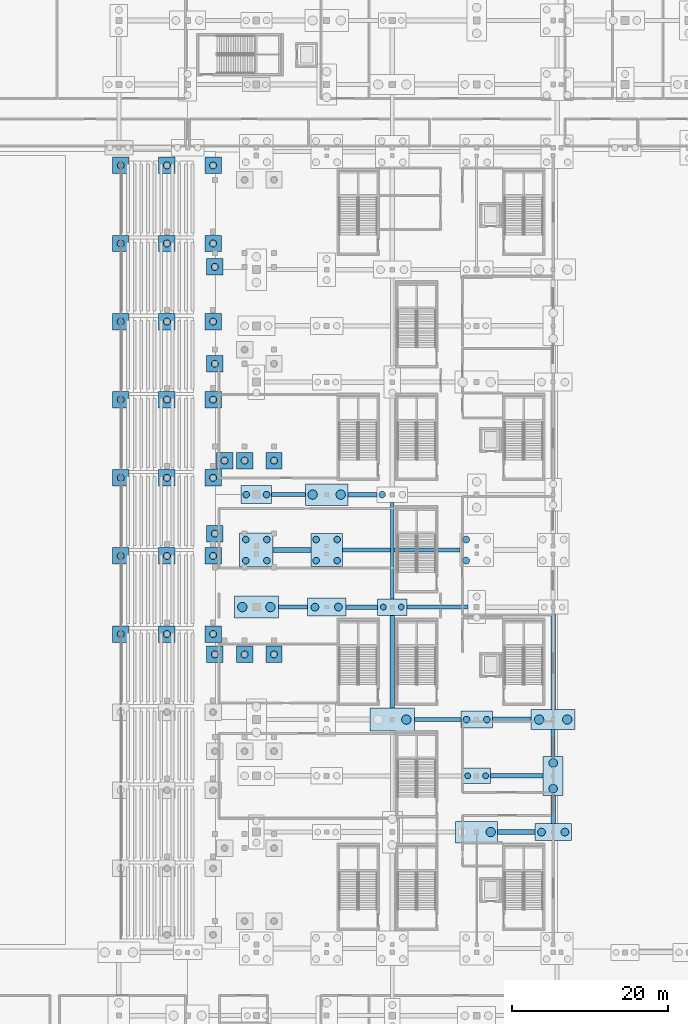
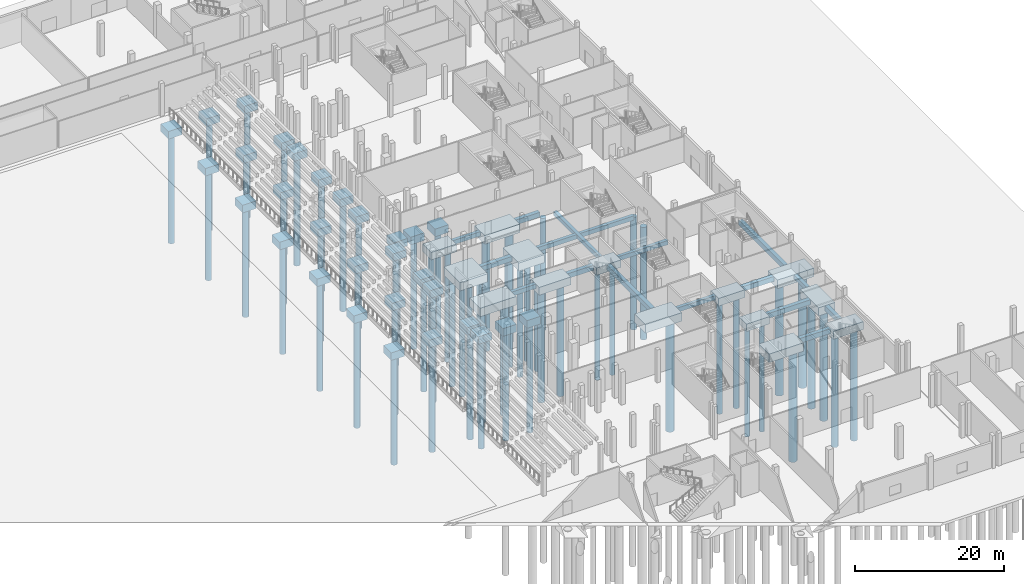
# One storey, part 9 of 89: 63 piles, 60 footings.
"""IFC4 building model written with IfcOpenShell, lengths in metres."""

from ifc_helpers import new_model, si_unit, direction, frame, origin, origin_2d, place, context, subcontext, project, spatial, rectangle, circle, extrude, material, material_profile, profile_set, type_object, element, save


model = new_model("IFC4")

# Units and contexts
model_context = context("Model", 3, precision=1e-05, world=origin(), true_north=direction((0.0, 1.0)))
body_context = subcontext(model_context, "Body", "Model", "MODEL_VIEW")
ifc_project = project(units=[si_unit("LENGTHUNIT", "METRE"), si_unit("AREAUNIT", "SQUARE_METRE"), si_unit("VOLUMEUNIT", "CUBIC_METRE"), si_unit("PLANEANGLEUNIT", "RADIAN"), si_unit("MASSUNIT", "GRAM", prefix="KILO")], contexts=[model_context])

# Site, building, storey
site_placement = place(None, origin())
site = spatial("IfcSite", under=ifc_project, at=site_placement, CompositionType="ELEMENT")
building_placement = place(site_placement, origin())
building = spatial("IfcBuilding", under=site, at=building_placement, Name="Koshinbarg Plaza Stadium", CompositionType="ELEMENT")
storey_placement = place(building_placement, origin())
storey = spatial("IfcBuildingStorey", under=building, at=storey_placement, Name="L00", CompositionType="ELEMENT", Elevation=0.0)

# Footings
ifc_material = material(Name="Concrete C35/45", Category="concrete")
ifc_material_profile_1 = material_profile(ifc_material, rectangle(XDim=0.5, YDim=0.699951171875, at=origin_2d()), Name="GB 500x700")
ifc_profile_set_1 = profile_set([ifc_material_profile_1], Name="Concrete C35/45")
footing_type_1 = type_object("IfcFootingType", Name="FT-GB-01", PredefinedType="FOOTING_BEAM", material=ifc_profile_set_1)
footing_1_placement = place(storey_placement, frame((200.6201171875, 54.300048828125, -0.800048828125), z_axis=(1.0, 0.0, 0.0), x_axis=(0.0, 1.0, 0.0)))
element("IfcFooting", 1, at=footing_1_placement, inside=storey, type_object=footing_type_1, Name="Ground footing beam GB-X-087", PredefinedType="FOOTING_BEAM", context=body_context, shape_type="SweptSolid", body=[
    extrude(rectangle(XDim=0.5, YDim=0.699951171875, at=origin_2d()), origin(), (0.0, 0.0, 1.0), 5.949951171875),
])
footing_2_placement = place(storey_placement, frame((183.219970703125, 68.699951171875, -0.800048828125), z_axis=(1.0, 0.0, 0.0), x_axis=(0.0, 1.0, 0.0)))
element("IfcFooting", 2, at=footing_2_placement, inside=storey, type_object=footing_type_1, Name="Ground footing beam GB-X-095", PredefinedType="FOOTING_BEAM", context=body_context, shape_type="SweptSolid", body=[
    extrude(rectangle(XDim=0.5, YDim=0.699951171875, at=origin_2d()), origin(), (0.0, 0.0, 1.0), 3.719970703125),
])
footing_3_placement = place(storey_placement, frame((199.7099609375, 68.699951171875, -0.800048828125), z_axis=(1.0, 0.0, 0.0), x_axis=(0.0, 1.0, 0.0)))
element("IfcFooting", 3, at=footing_3_placement, inside=storey, type_object=footing_type_1, Name="Ground footing beam GB-X-097", PredefinedType="FOOTING_BEAM", context=body_context, shape_type="SweptSolid", body=[
    extrude(rectangle(XDim=0.5, YDim=0.699951171875, at=origin_2d()), origin(), (0.0, 0.0, 1.0), 7.77001953125),
])
footing_4_placement = place(storey_placement, frame((191.39990234375, 76.0, -0.800048828125), z_axis=(1.0, 0.0, 0.0), x_axis=(0.0, 1.0, 0.0)))
element("IfcFooting", 4, at=footing_4_placement, inside=storey, type_object=footing_type_1, Name="Ground footing beam GB-X-105", PredefinedType="FOOTING_BEAM", context=body_context, shape_type="SweptSolid", body=[
    extrude(rectangle(XDim=0.5, YDim=0.699951171875, at=origin_2d()), origin(), (0.0, 0.0, 1.0), 15.0400390625),
])
footing_5_placement = place(storey_placement, frame((182.35009765625, 83.10009765625, -0.800048828125), z_axis=(1.0, 0.0, 0.0), x_axis=(0.0, 1.0, 0.0)))
element("IfcFooting", 5, at=footing_5_placement, inside=storey, type_object=footing_type_1, Name="Ground footing beam GB-X-113", PredefinedType="FOOTING_BEAM", context=body_context, shape_type="SweptSolid", body=[
    extrude(rectangle(XDim=0.5, YDim=0.699951171875, at=origin_2d()), origin(), (0.0, 0.0, 1.0), 4.309814453125),
])
footing_6_placement = place(storey_placement, frame((197.800048828125, 69.760009765625, -0.800048828125), z_axis=(0.0, 1.0, 0.0), x_axis=(-1.0, 0.0, 0.0)))
element("IfcFooting", 6, at=footing_6_placement, inside=storey, type_object=footing_type_1, Name="Ground footing beam GB-Y-247", PredefinedType="FOOTING_BEAM", context=body_context, shape_type="SweptSolid", body=[
    extrude(rectangle(XDim=0.5, YDim=0.699951171875, at=origin_2d()), origin(), (0.0, 0.0, 1.0), 12.340087890625),
])
footing_7_placement = place(storey_placement, frame((218.39990234375, 49.60009765625, -0.800048828125), z_axis=(0.0, 1.0, 0.0), x_axis=(-1.0, 0.0, 0.0)))
element("IfcFooting", 7, at=footing_7_placement, inside=storey, type_object=footing_type_1, Name="Ground footing beam GB-Y-257", PredefinedType="FOOTING_BEAM", context=body_context, shape_type="SweptSolid", body=[
    extrude(rectangle(XDim=0.5, YDim=0.699951171875, at=origin_2d()), origin(), (0.0, 0.0, 1.0), 3.39990234375),
])
ifc_material_profile_2 = material_profile(ifc_material, rectangle(XDim=0.60009765625, YDim=0.800048828125, at=origin_2d()), Name="GB 600x800")
ifc_profile_set_2 = profile_set([ifc_material_profile_2], Name="Concrete C35/45")
footing_type_2 = type_object("IfcFootingType", Name="FT-GB-02", PredefinedType="FOOTING_BEAM", material=ifc_profile_set_2)
footing_8_placement = place(storey_placement, frame((211.300048828125, 39.89990234375, -0.85009765625), z_axis=(1.0, 0.0, 0.0), x_axis=(0.0, 1.0, 0.0)))
element("IfcFooting", 8, at=footing_8_placement, inside=storey, type_object=footing_type_2, Name="Ground footing beam GB-X-070", PredefinedType="FOOTING_BEAM", context=body_context, shape_type="SweptSolid", body=[
    extrude(rectangle(XDim=0.60009765625, YDim=0.800048828125, at=origin_2d()), origin(), (0.0, 0.0, 1.0), 4.760009765625),
])
footing_9_placement = place(storey_placement, frame((210.389892578125, 47.10009765625, -0.85009765625), z_axis=(1.0, 0.0, 0.0), x_axis=(0.0, 1.0, 0.0)))
element("IfcFooting", 9, at=footing_9_placement, inside=storey, type_object=footing_type_2, Name="Ground footing beam GB-X-078", PredefinedType="FOOTING_BEAM", context=body_context, shape_type="SweptSolid", body=[
    extrude(rectangle(XDim=0.60009765625, YDim=0.800048828125, at=origin_2d()), origin(), (0.0, 0.0, 1.0), 6.730224609375),
])
footing_10_placement = place(storey_placement, frame((210.6298828125, 54.300048828125, -0.85009765625), z_axis=(1.0, 0.0, 0.0), x_axis=(0.0, 1.0, 0.0)))
element("IfcFooting", 10, at=footing_10_placement, inside=storey, type_object=footing_type_2, Name="Ground footing beam GB-X-088", PredefinedType="FOOTING_BEAM", context=body_context, shape_type="SweptSolid", body=[
    extrude(rectangle(XDim=0.60009765625, YDim=0.800048828125, at=origin_2d()), origin(), (0.0, 0.0, 1.0), 4.9501953125),
])
footing_11_placement = place(storey_placement, frame((191.860107421875, 68.699951171875, -0.85009765625), z_axis=(1.0, 0.0, 0.0), x_axis=(0.0, 1.0, 0.0)))
element("IfcFooting", 11, at=footing_11_placement, inside=storey, type_object=footing_type_2, Name="Ground footing beam GB-X-096", PredefinedType="FOOTING_BEAM", context=body_context, shape_type="SweptSolid", body=[
    extrude(rectangle(XDim=0.60009765625, YDim=0.800048828125, at=origin_2d()), origin(), (0.0, 0.0, 1.0), 4.02978515625),
])
footing_12_placement = place(storey_placement, frame((182.56005859375, 76.0, -0.85009765625), z_axis=(1.0, 0.0, 0.0), x_axis=(0.0, 1.0, 0.0)))
element("IfcFooting", 12, at=footing_12_placement, inside=storey, type_object=footing_type_2, Name="Ground footing beam GB-X-104", PredefinedType="FOOTING_BEAM", context=body_context, shape_type="SweptSolid", body=[
    extrude(rectangle(XDim=0.60009765625, YDim=0.800048828125, at=origin_2d()), origin(), (0.0, 0.0, 1.0), 4.83984375),
])
footing_13_placement = place(storey_placement, frame((192.139892578125, 83.10009765625, -0.85009765625), z_axis=(1.0, 0.0, 0.0), x_axis=(0.0, 1.0, 0.0)))
element("IfcFooting", 13, at=footing_13_placement, inside=storey, type_object=footing_type_2, Name="Ground footing beam GB-X-114", PredefinedType="FOOTING_BEAM", context=body_context, shape_type="SweptSolid", body=[
    extrude(rectangle(XDim=0.60009765625, YDim=0.800048828125, at=origin_2d()), origin(), (0.0, 0.0, 1.0), 3.710205078125),
])
footing_14_placement = place(storey_placement, frame((197.800048828125, 55.760009765625, -0.85009765625), z_axis=(0.0, 1.0, 0.0), x_axis=(-1.0, 0.0, 0.0)))
element("IfcFooting", 14, at=footing_14_placement, inside=storey, type_object=footing_type_2, Name="Ground footing beam GB-Y-246", PredefinedType="FOOTING_BEAM", context=body_context, shape_type="SweptSolid", body=[
    extrude(rectangle(XDim=0.60009765625, YDim=0.800048828125, at=origin_2d()), origin(), (0.0, 0.0, 1.0), 11.8798828125),
])
footing_15_placement = place(storey_placement, frame((218.39990234375, 41.0, -0.85009765625), z_axis=(0.0, 1.0, 0.0), x_axis=(-1.0, 0.0, 0.0)))
element("IfcFooting", 15, at=footing_15_placement, inside=storey, type_object=footing_type_2, Name="Ground footing beam GB-Y-256", PredefinedType="FOOTING_BEAM", context=body_context, shape_type="SweptSolid", body=[
    extrude(rectangle(XDim=0.60009765625, YDim=0.800048828125, at=origin_2d()), origin(), (0.0, 0.0, 1.0), 3.60009765625),
])
footing_16_placement = place(storey_placement, frame((218.39990234375, 55.60009765625, -0.85009765625), z_axis=(0.0, 1.0, 0.0), x_axis=(-1.0, 0.0, 0.0)))
element("IfcFooting", 16, at=footing_16_placement, inside=storey, type_object=footing_type_2, Name="Ground footing beam GB-Y-258", PredefinedType="FOOTING_BEAM", context=body_context, shape_type="SweptSolid", body=[
    extrude(rectangle(XDim=0.60009765625, YDim=0.800048828125, at=origin_2d()), origin(), (0.0, 0.0, 1.0), 12.199951171875),
])
footing_type_3 = type_object("IfcFootingType", Name="FT-PC-210x210x125", PredefinedType="PILE_CAP", material=ifc_material)
for number, where, z_axis, x_axis, name in (
    (17, (163.0400390625, 65.25, -1.699951171875), (0.0, 0.0, 1.0), (1.0, 0.0, 0.0), "Bowl raker pile cap LT-E04-R-F"),
    (18, (168.949951171875, 65.25, -1.699951171875), (0.0, 0.0, 1.0), (1.0, 0.0, 0.0), "Bowl raker pile cap LT-E04-R-M"),
    (19, (174.860107421875, 65.25, -1.699951171875), (0.0, 0.0, 1.0), (1.0, 0.0, 0.0), "Bowl raker pile cap LT-E04-R-B"),
    (20, (163.0400390625, 75.25, -1.699951171875), (0.0, 0.0, 1.0), (1.0, 0.0, 0.0), "Bowl raker pile cap LT-E05-R-F"),
    (21, (168.949951171875, 75.25, -1.699951171875), (0.0, 0.0, 1.0), (1.0, 0.0, 0.0), "Bowl raker pile cap LT-E05-R-M"),
    (22, (174.860107421875, 75.25, -1.699951171875), (0.0, 0.0, 1.0), (1.0, 0.0, 0.0), "Bowl raker pile cap LT-E05-R-B"),
    (23, (163.0400390625, 85.25, -1.699951171875), (0.0, 0.0, 1.0), (1.0, 0.0, 0.0), "Bowl raker pile cap LT-E06-R-F"),
    (24, (168.949951171875, 85.25, -1.699951171875), (0.0, 0.0, 1.0), (1.0, 0.0, 0.0), "Bowl raker pile cap LT-E06-R-M"),
    (25, (174.860107421875, 85.25, -1.699951171875), (0.0, 0.0, 1.0), (1.0, 0.0, 0.0), "Bowl raker pile cap LT-E06-R-B"),
    (26, (163.0400390625, 95.25, -1.699951171875), (0.0, 0.0, 1.0), (1.0, 0.0, 0.0), "Bowl raker pile cap LT-E07-R-F"),
    (27, (168.949951171875, 95.25, -1.699951171875), (0.0, 0.0, 1.0), (1.0, 0.0, 0.0), "Bowl raker pile cap LT-E07-R-M"),
    (28, (174.860107421875, 95.25, -1.699951171875), (0.0, 0.0, 1.0), (1.0, 0.0, 0.0), "Bowl raker pile cap LT-E07-R-B"),
    (29, (163.0400390625, 105.25, -1.699951171875), (0.0, 0.0, 1.0), (1.0, 0.0, 0.0), "Bowl raker pile cap LT-E08-R-F"),
    (30, (168.949951171875, 105.25, -1.699951171875), (0.0, 0.0, 1.0), (1.0, 0.0, 0.0), "Bowl raker pile cap LT-E08-R-M"),
    (31, (174.860107421875, 105.25, -1.699951171875), (0.0, 0.0, 1.0), (1.0, 0.0, 0.0), "Bowl raker pile cap LT-E08-R-B"),
    (32, (163.0400390625, 115.25, -1.699951171875), (0.0, 0.0, 1.0), (1.0, 0.0, 0.0), "Bowl raker pile cap LT-E09-R-F"),
    (33, (168.949951171875, 115.25, -1.699951171875), (0.0, 0.0, 1.0), (1.0, 0.0, 0.0), "Bowl raker pile cap LT-E09-R-M"),
    (34, (174.860107421875, 115.25, -1.699951171875), (0.0, 0.0, 1.0), (1.0, 0.0, 0.0), "Bowl raker pile cap LT-E09-R-B"),
    (35, (163.0400390625, 125.25, -1.699951171875), (0.0, 0.0, 1.0), (1.0, 0.0, 0.0), "Bowl raker pile cap LT-E10-R-F"),
    (36, (168.949951171875, 125.25, -1.699951171875), (0.0, 0.0, 1.0), (1.0, 0.0, 0.0), "Bowl raker pile cap LT-E10-R-M"),
    (37, (174.860107421875, 125.25, -1.699951171875), (0.0, 0.0, 1.0), (1.0, 0.0, 0.0), "Bowl raker pile cap LT-E10-R-B"),
    (38, (175.080078125, 62.64990234375, -1.699951171875), (0.0, 0.0, 1.0), (1.0, 0.0, 0.0), "Bowl raker pile cap UT-E03-R-CF"),
    (39, (178.89990234375, 62.64990234375, -1.699951171875), (0.0, 0.0, 1.0), (1.0, 0.0, 0.0), "Bowl raker pile cap UT-E03-R-CM"),
    (40, (182.659912109375, 62.64990234375, -1.699951171875), (0.0, 0.0, 1.0), (1.0, 0.0, 0.0), "Bowl raker pile cap UT-E03-R-CB"),
    (41, (175.080078125, 78.10009765625, -1.699951171875), (0.0, 0.0, 1.0), (1.0, 0.0, 0.0), "Bowl raker pile cap UT-E05-L-CF"),
    (42, (176.330078125, 87.449951171875, -1.699951171875), (0.0, 0.0, 1.0), (1.0, 0.0, 0.0), "Bowl raker pile cap UT-E05-R-CF"),
    (43, (178.89990234375, 87.449951171875, -1.699951171875), (0.0, 0.0, 1.0), (1.0, 0.0, 0.0), "Bowl raker pile cap UT-E05-R-CM"),
    (44, (182.659912109375, 87.449951171875, -1.699951171875), (0.0, 0.0, 1.0), (1.0, 0.0, 0.0), "Bowl raker pile cap UT-E05-R-CB"),
    (45, (175.080078125, 99.85009765625, -1.699951171875), (0.0, 0.0, 1.0), (1.0, 0.0, 0.0), "Bowl raker pile cap UT-E06-R-CF"),
    (46, (175.080078125, 112.25, -1.699951171875), (0.0, 0.0, 1.0), (1.0, 0.0, 0.0), "Bowl raker pile cap UT-E07-R-CF"),
):
    element("IfcFooting", number, at=place(storey_placement, frame(where, z_axis=z_axis, x_axis=x_axis)), inside=storey, type_object=footing_type_3, Name=name, PredefinedType="PILE_CAP", context=body_context, shape_type="SweptSolid", body=[
        extrude(rectangle(XDim=2.10009765625, YDim=2.10009765625, at=origin_2d()), origin(), (0.0, 0.0, 1.0), 1.25),
    ])
footing_type_4 = type_object("IfcFootingType", Name="FT-PC-256x500x135", PredefinedType="PILE_CAP", material=ifc_material)
footing_17_placement = place(storey_placement, frame((218.39990234375, 47.10009765625, -1.800048828125), z_axis=(0.0, 0.0, 1.0), x_axis=(1.0, 0.0, 0.0)))
element("IfcFooting", 47, at=footing_17_placement, inside=storey, type_object=footing_type_4, Name="Bored pile cap CAP-203", PredefinedType="PILE_CAP", context=body_context, shape_type="SweptSolid", body=[
    extrude(rectangle(XDim=2.56005859375, YDim=5.0, at=origin_2d()), origin(), (0.0, 0.0, 1.0), 1.35009765625),
])
footing_type_5 = type_object("IfcFootingType", Name="FT-PC-358x196x120", PredefinedType="PILE_CAP", material=ifc_material)
footing_18_placement = place(storey_placement, frame((208.60009765625, 47.10009765625, -1.64990234375), z_axis=(0.0, 0.0, 1.0), x_axis=(1.0, 0.0, 0.0)))
element("IfcFooting", 48, at=footing_18_placement, inside=storey, type_object=footing_type_5, Name="Bored pile cap CAP-187", PredefinedType="PILE_CAP", context=body_context, shape_type="SweptSolid", body=[
    extrude(rectangle(XDim=3.580078125, YDim=1.9599609375, at=origin_2d()), origin(), (0.0, 0.0, 1.0), 1.199951171875),
])
footing_type_6 = type_object("IfcFootingType", Name="FT-PC-382x212x120", PredefinedType="PILE_CAP", material=ifc_material)
footing_19_placement = place(storey_placement, frame((197.800048828125, 68.699951171875, -1.64990234375), z_axis=(0.0, 0.0, 1.0), x_axis=(1.0, 0.0, 0.0)))
element("IfcFooting", 49, at=footing_19_placement, inside=storey, type_object=footing_type_6, Name="Bored pile cap CAP-175", PredefinedType="PILE_CAP", context=body_context, shape_type="SweptSolid", body=[
    extrude(rectangle(XDim=3.820068359375, YDim=2.1201171875, at=origin_2d()), origin(), (0.0, 0.0, 1.0), 1.199951171875),
])
footing_type_7 = type_object("IfcFootingType", Name="FT-PC-390x232x125", PredefinedType="PILE_CAP", material=ifc_material)
footing_20_placement = place(storey_placement, frame((180.39990234375, 83.10009765625, -1.699951171875), z_axis=(0.0, 0.0, 1.0), x_axis=(1.0, 0.0, 0.0)))
element("IfcFooting", 50, at=footing_20_placement, inside=storey, type_object=footing_type_7, Name="Bored pile cap CAP-146", PredefinedType="PILE_CAP", context=body_context, shape_type="SweptSolid", body=[
    extrude(rectangle(XDim=3.89990234375, YDim=2.320068359375, at=origin_2d()), origin(), (0.0, 0.0, 1.0), 1.25),
])
footing_type_8 = type_object("IfcFootingType", Name="FT-PC-400x426x130", PredefinedType="PILE_CAP", material=ifc_material)
footing_21_placement = place(storey_placement, frame((189.39990234375, 76.0, -1.75), z_axis=(0.0, 0.0, 1.0), x_axis=(1.0, 0.0, 0.0)))
element("IfcFooting", 51, at=footing_21_placement, inside=storey, type_object=footing_type_8, Name="Bored pile cap CAP-161", PredefinedType="PILE_CAP", context=body_context, shape_type="SweptSolid", body=[
    extrude(rectangle(XDim=4.0, YDim=4.260009765625, at=origin_2d()), origin(), (0.0, 0.0, 1.0), 1.300048828125),
])
footing_type_9 = type_object("IfcFootingType", Name="FT-PC-406x216x125", PredefinedType="PILE_CAP", material=ifc_material)
footing_22_placement = place(storey_placement, frame((208.60009765625, 54.300048828125, -1.699951171875), z_axis=(0.0, 0.0, 1.0), x_axis=(1.0, 0.0, 0.0)))
element("IfcFooting", 52, at=footing_22_placement, inside=storey, type_object=footing_type_9, Name="Bored pile cap CAP-188", PredefinedType="PILE_CAP", context=body_context, shape_type="SweptSolid", body=[
    extrude(rectangle(XDim=4.06005859375, YDim=2.159912109375, at=origin_2d()), origin(), (0.0, 0.0, 1.0), 1.25),
])
footing_type_10 = type_object("IfcFootingType", Name="FT-PC-432x434x135", PredefinedType="PILE_CAP", material=ifc_material)
footing_23_placement = place(storey_placement, frame((180.39990234375, 76.0, -1.800048828125), z_axis=(0.0, 0.0, 1.0), x_axis=(1.0, 0.0, 0.0)))
element("IfcFooting", 53, at=footing_23_placement, inside=storey, type_object=footing_type_10, Name="Bored pile cap CAP-145", PredefinedType="PILE_CAP", context=body_context, shape_type="SweptSolid", body=[
    extrude(rectangle(XDim=4.320068359375, YDim=4.340087890625, at=origin_2d()), origin(), (0.0, 0.0, 1.0), 1.35009765625),
])
footing_type_11 = type_object("IfcFootingType", Name="FT-PC-468x220x130", PredefinedType="PILE_CAP", material=ifc_material)
footing_24_placement = place(storey_placement, frame((218.39990234375, 39.89990234375, -1.75), z_axis=(0.0, 0.0, 1.0), x_axis=(1.0, 0.0, 0.0)))
element("IfcFooting", 54, at=footing_24_placement, inside=storey, type_object=footing_type_11, Name="Bored pile cap CAP-202", PredefinedType="PILE_CAP", context=body_context, shape_type="SweptSolid", body=[
    extrude(rectangle(XDim=4.679931640625, YDim=2.199951171875, at=origin_2d()), origin(), (0.0, 0.0, 1.0), 1.300048828125),
])
footing_type_12 = type_object("IfcFootingType", Name="FT-PC-492x228x130", PredefinedType="PILE_CAP", material=ifc_material)
footing_25_placement = place(storey_placement, frame((189.39990234375, 68.699951171875, -1.75), z_axis=(0.0, 0.0, 1.0), x_axis=(1.0, 0.0, 0.0)))
element("IfcFooting", 55, at=footing_25_placement, inside=storey, type_object=footing_type_12, Name="Bored pile cap CAP-160", PredefinedType="PILE_CAP", context=body_context, shape_type="SweptSolid", body=[
    extrude(rectangle(XDim=4.919921875, YDim=2.280029296875, at=origin_2d()), origin(), (0.0, 0.0, 1.0), 1.300048828125),
])
footing_type_13 = type_object("IfcFootingType", Name="FT-PC-540x276x140", PredefinedType="PILE_CAP", material=ifc_material)
footing_26_placement = place(storey_placement, frame((208.60009765625, 39.89990234375, -1.849853515625), z_axis=(0.0, 0.0, 1.0), x_axis=(1.0, 0.0, 0.0)))
element("IfcFooting", 56, at=footing_26_placement, inside=storey, type_object=footing_type_13, Name="Bored pile cap CAP-186", PredefinedType="PILE_CAP", context=body_context, shape_type="SweptSolid", body=[
    extrude(rectangle(XDim=5.39990234375, YDim=2.760009765625, at=origin_2d()), origin(), (0.0, 0.0, 1.0), 1.39990234375),
])
footing_type_14 = type_object("IfcFootingType", Name="FT-PC-548x276x140", PredefinedType="PILE_CAP", material=ifc_material)
footing_27_placement = place(storey_placement, frame((189.39990234375, 83.10009765625, -1.849853515625), z_axis=(0.0, 0.0, 1.0), x_axis=(1.0, 0.0, 0.0)))
element("IfcFooting", 57, at=footing_27_placement, inside=storey, type_object=footing_type_14, Name="Bored pile cap CAP-162", PredefinedType="PILE_CAP", context=body_context, shape_type="SweptSolid", body=[
    extrude(rectangle(XDim=5.47998046875, YDim=2.760009765625, at=origin_2d()), origin(), (0.0, 0.0, 1.0), 1.39990234375),
])
footing_type_15 = type_object("IfcFootingType", Name="FT-PC-564x260x140", PredefinedType="PILE_CAP", material=ifc_material)
footing_28_placement = place(storey_placement, frame((218.39990234375, 54.300048828125, -1.849853515625), z_axis=(0.0, 0.0, 1.0), x_axis=(1.0, 0.0, 0.0)))
element("IfcFooting", 58, at=footing_28_placement, inside=storey, type_object=footing_type_15, Name="Bored pile cap CAP-204", PredefinedType="PILE_CAP", context=body_context, shape_type="SweptSolid", body=[
    extrude(rectangle(XDim=5.639892578125, YDim=2.60009765625, at=origin_2d()), origin(), (0.0, 0.0, 1.0), 1.39990234375),
])
footing_type_16 = type_object("IfcFootingType", Name="FT-PC-564x284x140", PredefinedType="PILE_CAP", material=ifc_material)
footing_29_placement = place(storey_placement, frame((180.39990234375, 68.699951171875, -1.849853515625), z_axis=(0.0, 0.0, 1.0), x_axis=(1.0, 0.0, 0.0)))
element("IfcFooting", 59, at=footing_29_placement, inside=storey, type_object=footing_type_16, Name="Bored pile cap CAP-144", PredefinedType="PILE_CAP", context=body_context, shape_type="SweptSolid", body=[
    extrude(rectangle(XDim=5.639892578125, YDim=2.840087890625, at=origin_2d()), origin(), (0.0, 0.0, 1.0), 1.39990234375),
])
footing_type_17 = type_object("IfcFootingType", Name="FT-PC-564x292x140", PredefinedType="PILE_CAP", material=ifc_material)
footing_30_placement = place(storey_placement, frame((197.800048828125, 54.300048828125, -1.849853515625), z_axis=(0.0, 0.0, 1.0), x_axis=(1.0, 0.0, 0.0)))
element("IfcFooting", 60, at=footing_30_placement, inside=storey, type_object=footing_type_17, Name="Bored pile cap CAP-174", PredefinedType="PILE_CAP", context=body_context, shape_type="SweptSolid", body=[
    extrude(rectangle(XDim=5.639892578125, YDim=2.919921875, at=origin_2d()), origin(), (0.0, 0.0, 1.0), 1.39990234375),
])

# Piles
ifc_material_profile_3 = material_profile(ifc_material, circle(Radius=0.5, at=origin_2d()), Name="PILE D1000")
ifc_profile_set_3 = profile_set([ifc_material_profile_3], Name="Concrete C35/45")
pile_type_1 = type_object("IfcPileType", Name="PL-D1000", PredefinedType="BORED", material=ifc_profile_set_3)
for number, where, z_axis, x_axis, name in (
    (61, (187.89990234375, 68.699951171875, -1.64990234375), (0.0, 0.0, -1.0), (1.0, 0.0, 0.0), "Bored pile CAP-160-1"),
    (62, (190.89990234375, 68.699951171875, -1.64990234375), (0.0, 0.0, -1.0), (1.0, 0.0, 0.0), "Bored pile CAP-160-2"),
    (63, (216.89990234375, 39.89990234375, -1.64990234375), (0.0, 0.0, -1.0), (1.0, 0.0, 0.0), "Bored pile CAP-202-1"),
    (64, (219.89990234375, 39.89990234375, -1.64990234375), (0.0, 0.0, -1.0), (1.0, 0.0, 0.0), "Bored pile CAP-202-2"),
):
    element("IfcPile", number, at=place(storey_placement, frame(where, z_axis=z_axis, x_axis=x_axis)), inside=storey, type_object=pile_type_1, Name=name, PredefinedType="BORED", context=body_context, shape_type="SweptSolid", body=[
        extrude(circle(Radius=0.5, at=origin_2d()), origin(), (0.0, 0.0, 1.0), 18.5),
    ])
ifc_material_profile_4 = material_profile(ifc_material, circle(Radius=0.550048828125, at=origin_2d()), Name="PILE D1100")
ifc_profile_set_4 = profile_set([ifc_material_profile_4], Name="Concrete C35/45")
pile_type_2 = type_object("IfcPileType", Name="PL-D1100", PredefinedType="BORED", material=ifc_profile_set_4)
for number, where, z_axis, x_axis, name in (
    (65, (218.39990234375, 45.449951171875, -1.699951171875), (0.0, 0.0, -1.0), (1.0, 0.0, 0.0), "Bored pile CAP-203-1"),
    (66, (218.39990234375, 48.75, -1.699951171875), (0.0, 0.0, -1.0), (1.0, 0.0, 0.0), "Bored pile CAP-203-2"),
):
    element("IfcPile", number, at=place(storey_placement, frame(where, z_axis=z_axis, x_axis=x_axis)), inside=storey, type_object=pile_type_2, Name=name, PredefinedType="BORED", context=body_context, shape_type="SweptSolid", body=[
        extrude(circle(Radius=0.550048828125, at=origin_2d()), origin(), (0.0, 0.0, 1.0), 18.0),
    ])
ifc_material_profile_5 = material_profile(ifc_material, circle(Radius=0.60009765625, at=origin_2d()), Name="PILE D1200")
ifc_profile_set_5 = profile_set([ifc_material_profile_5], Name="Concrete C35/45")
pile_type_3 = type_object("IfcPileType", Name="PL-D1200", PredefinedType="BORED", material=ifc_profile_set_5)
for number, where, z_axis, x_axis, name in (
    (67, (178.60009765625, 68.699951171875, -1.75), (0.0, 0.0, -1.0), (1.0, 0.0, 0.0), "Bored pile CAP-144-1"),
    (68, (182.199951171875, 68.699951171875, -1.75), (0.0, 0.0, -1.0), (1.0, 0.0, 0.0), "Bored pile CAP-144-2"),
    (69, (187.60009765625, 83.10009765625, -1.75), (0.0, 0.0, -1.0), (1.0, 0.0, 0.0), "Bored pile CAP-162-1"),
    (70, (191.199951171875, 83.10009765625, -1.75), (0.0, 0.0, -1.0), (1.0, 0.0, 0.0), "Bored pile CAP-162-2"),
    (71, (199.60009765625, 54.300048828125, -1.75), (0.0, 0.0, -1.0), (1.0, 0.0, 0.0), "Bored pile CAP-174-2"),
    (72, (210.39990234375, 39.89990234375, -1.75), (0.0, 0.0, -1.0), (1.0, 0.0, 0.0), "Bored pile CAP-186-2"),
    (73, (216.60009765625, 54.300048828125, -1.75), (0.0, 0.0, -1.0), (1.0, 0.0, 0.0), "Bored pile CAP-204-1"),
    (74, (220.199951171875, 54.300048828125, -1.75), (0.0, 0.0, -1.0), (1.0, 0.0, 0.0), "Bored pile CAP-204-2"),
):
    element("IfcPile", number, at=place(storey_placement, frame(where, z_axis=z_axis, x_axis=x_axis)), inside=storey, type_object=pile_type_3, Name=name, PredefinedType="BORED", context=body_context, shape_type="SweptSolid", body=[
        extrude(circle(Radius=0.60009765625, at=origin_2d()), origin(), (0.0, 0.0, 1.0), 18.5),
    ])
ifc_material_profile_6 = material_profile(ifc_material, circle(Radius=0.375, at=origin_2d()), Name="PILE D750")
ifc_profile_set_6 = profile_set([ifc_material_profile_6], Name="Concrete C35/45")
pile_type_4 = type_object("IfcPileType", Name="PL-D750", PredefinedType="BORED", material=ifc_profile_set_6)
for number, where, z_axis, x_axis, name in (
    (75, (196.64990234375, 68.699951171875, -1.550048828125), (0.0, 0.0, -1.0), (1.0, 0.0, 0.0), "Bored pile CAP-175-1"),
    (76, (198.949951171875, 68.699951171875, -1.550048828125), (0.0, 0.0, -1.0), (1.0, 0.0, 0.0), "Bored pile CAP-175-2"),
    (77, (207.449951171875, 47.10009765625, -1.550048828125), (0.0, 0.0, -1.0), (1.0, 0.0, 0.0), "Bored pile CAP-187-1"),
    (78, (209.75, 47.10009765625, -1.550048828125), (0.0, 0.0, -1.0), (1.0, 0.0, 0.0), "Bored pile CAP-187-2"),
):
    element("IfcPile", number, at=place(storey_placement, frame(where, z_axis=z_axis, x_axis=x_axis)), inside=storey, type_object=pile_type_4, Name=name, PredefinedType="BORED", context=body_context, shape_type="SweptSolid", body=[
        extrude(circle(Radius=0.375, at=origin_2d()), origin(), (0.0, 0.0, 1.0), 18.0),
    ])
ifc_material_profile_7 = material_profile(ifc_material, circle(Radius=0.425048828125, at=origin_2d()), Name="PILE D850")
ifc_profile_set_7 = profile_set([ifc_material_profile_7], Name="Concrete C35/45")
pile_type_5 = type_object("IfcPileType", Name="PL-D850", PredefinedType="BORED", material=ifc_profile_set_7)
for number, where, z_axis, x_axis, name in (
    (79, (179.050048828125, 74.64990234375, -1.699951171875), (0.0, 0.0, -1.0), (1.0, 0.0, 0.0), "Bored pile CAP-145-1"),
    (80, (181.75, 74.64990234375, -1.699951171875), (0.0, 0.0, -1.0), (1.0, 0.0, 0.0), "Bored pile CAP-145-2"),
    (81, (179.050048828125, 77.35009765625, -1.699951171875), (0.0, 0.0, -1.0), (1.0, 0.0, 0.0), "Bored pile CAP-145-3"),
    (82, (181.75, 77.35009765625, -1.699951171875), (0.0, 0.0, -1.0), (1.0, 0.0, 0.0), "Bored pile CAP-145-4"),
):
    element("IfcPile", number, at=place(storey_placement, frame(where, z_axis=z_axis, x_axis=x_axis)), inside=storey, type_object=pile_type_5, Name=name, PredefinedType="BORED", context=body_context, shape_type="SweptSolid", body=[
        extrude(circle(Radius=0.425048828125, at=origin_2d()), origin(), (0.0, 0.0, 1.0), 18.0),
    ])
for number, where, z_axis, x_axis, name in (
    (83, (179.10009765625, 83.10009765625, -1.60009765625), (0.0, 0.0, -1.0), (1.0, 0.0, 0.0), "Bored pile CAP-146-1"),
    (84, (181.699951171875, 83.10009765625, -1.60009765625), (0.0, 0.0, -1.0), (1.0, 0.0, 0.0), "Bored pile CAP-146-2"),
):
    element("IfcPile", number, at=place(storey_placement, frame(where, z_axis=z_axis, x_axis=x_axis)), inside=storey, type_object=pile_type_5, Name=name, PredefinedType="BORED", context=body_context, shape_type="SweptSolid", body=[
        extrude(circle(Radius=0.425048828125, at=origin_2d()), origin(), (0.0, 0.0, 1.0), 18.5),
    ])
for number, where, z_axis, x_axis, name in (
    (85, (188.050048828125, 74.64990234375, -1.64990234375), (0.0, 0.0, -1.0), (1.0, 0.0, 0.0), "Bored pile CAP-161-1"),
    (86, (190.75, 74.64990234375, -1.64990234375), (0.0, 0.0, -1.0), (1.0, 0.0, 0.0), "Bored pile CAP-161-2"),
    (87, (188.050048828125, 77.35009765625, -1.64990234375), (0.0, 0.0, -1.0), (1.0, 0.0, 0.0), "Bored pile CAP-161-3"),
    (88, (190.75, 77.35009765625, -1.64990234375), (0.0, 0.0, -1.0), (1.0, 0.0, 0.0), "Bored pile CAP-161-4"),
):
    element("IfcPile", number, at=place(storey_placement, frame(where, z_axis=z_axis, x_axis=x_axis)), inside=storey, type_object=pile_type_5, Name=name, PredefinedType="BORED", context=body_context, shape_type="SweptSolid", body=[
        extrude(circle(Radius=0.425048828125, at=origin_2d()), origin(), (0.0, 0.0, 1.0), 18.0),
    ])
for number, where, z_axis, x_axis, name in (
    (89, (196.5, 83.10009765625, -1.60009765625), (0.0, 0.0, -1.0), (1.0, 0.0, 0.0), "Bored pile CAP-176-1"),
    (90, (207.300048828125, 54.300048828125, -1.60009765625), (0.0, 0.0, -1.0), (1.0, 0.0, 0.0), "Bored pile CAP-188-1"),
    (91, (209.89990234375, 54.300048828125, -1.60009765625), (0.0, 0.0, -1.0), (1.0, 0.0, 0.0), "Bored pile CAP-188-2"),
):
    element("IfcPile", number, at=place(storey_placement, frame(where, z_axis=z_axis, x_axis=x_axis)), inside=storey, type_object=pile_type_5, Name=name, PredefinedType="BORED", context=body_context, shape_type="SweptSolid", body=[
        extrude(circle(Radius=0.425048828125, at=origin_2d()), origin(), (0.0, 0.0, 1.0), 18.5),
    ])
ifc_material_profile_8 = material_profile(ifc_material, circle(Radius=0.449951171875, at=origin_2d()), Name="PILE D900")
ifc_profile_set_8 = profile_set([ifc_material_profile_8], Name="Concrete C35/45")
pile_type_6 = type_object("IfcPileType", Name="PL-D900", PredefinedType="BORED", material=ifc_profile_set_8)
for number, where, z_axis, x_axis, name in (
    (92, (207.25, 74.64990234375, -1.699951171875), (0.0, 0.0, -1.0), (1.0, 0.0, 0.0), "Bored pile CAP-190-1"),
    (93, (207.25, 77.35009765625, -1.699951171875), (0.0, 0.0, -1.0), (1.0, 0.0, 0.0), "Bored pile CAP-190-3"),
):
    element("IfcPile", number, at=place(storey_placement, frame(where, z_axis=z_axis, x_axis=x_axis)), inside=storey, type_object=pile_type_6, Name=name, PredefinedType="BORED", context=body_context, shape_type="SweptSolid", body=[
        extrude(circle(Radius=0.449951171875, at=origin_2d()), origin(), (0.0, 0.0, 1.0), 18.5),
    ])
for number, where, z_axis, x_axis, name in (
    (94, (163.0400390625, 65.25, -1.60009765625), (0.0, 0.0, -1.0), (1.0, 0.0, 0.0), "Bowl raker bored pile LT-E04-R-F"),
    (95, (168.949951171875, 65.25, -1.60009765625), (0.0, 0.0, -1.0), (1.0, 0.0, 0.0), "Bowl raker bored pile LT-E04-R-M"),
    (96, (174.860107421875, 65.25, -1.60009765625), (0.0, 0.0, -1.0), (1.0, 0.0, 0.0), "Bowl raker bored pile LT-E04-R-B"),
    (97, (163.0400390625, 75.25, -1.60009765625), (0.0, 0.0, -1.0), (1.0, 0.0, 0.0), "Bowl raker bored pile LT-E05-R-F"),
    (98, (168.949951171875, 75.25, -1.60009765625), (0.0, 0.0, -1.0), (1.0, 0.0, 0.0), "Bowl raker bored pile LT-E05-R-M"),
    (99, (174.860107421875, 75.25, -1.60009765625), (0.0, 0.0, -1.0), (1.0, 0.0, 0.0), "Bowl raker bored pile LT-E05-R-B"),
    (100, (163.0400390625, 85.25, -1.60009765625), (0.0, 0.0, -1.0), (1.0, 0.0, 0.0), "Bowl raker bored pile LT-E06-R-F"),
    (101, (168.949951171875, 85.25, -1.60009765625), (0.0, 0.0, -1.0), (1.0, 0.0, 0.0), "Bowl raker bored pile LT-E06-R-M"),
    (102, (174.860107421875, 85.25, -1.60009765625), (0.0, 0.0, -1.0), (1.0, 0.0, 0.0), "Bowl raker bored pile LT-E06-R-B"),
    (103, (163.0400390625, 95.25, -1.60009765625), (0.0, 0.0, -1.0), (1.0, 0.0, 0.0), "Bowl raker bored pile LT-E07-R-F"),
    (104, (168.949951171875, 95.25, -1.60009765625), (0.0, 0.0, -1.0), (1.0, 0.0, 0.0), "Bowl raker bored pile LT-E07-R-M"),
    (105, (174.860107421875, 95.25, -1.60009765625), (0.0, 0.0, -1.0), (1.0, 0.0, 0.0), "Bowl raker bored pile LT-E07-R-B"),
    (106, (163.0400390625, 105.25, -1.60009765625), (0.0, 0.0, -1.0), (1.0, 0.0, 0.0), "Bowl raker bored pile LT-E08-R-F"),
    (107, (168.949951171875, 105.25, -1.60009765625), (0.0, 0.0, -1.0), (1.0, 0.0, 0.0), "Bowl raker bored pile LT-E08-R-M"),
    (108, (174.860107421875, 105.25, -1.60009765625), (0.0, 0.0, -1.0), (1.0, 0.0, 0.0), "Bowl raker bored pile LT-E08-R-B"),
    (109, (163.0400390625, 115.25, -1.60009765625), (0.0, 0.0, -1.0), (1.0, 0.0, 0.0), "Bowl raker bored pile LT-E09-R-F"),
    (110, (168.949951171875, 115.25, -1.60009765625), (0.0, 0.0, -1.0), (1.0, 0.0, 0.0), "Bowl raker bored pile LT-E09-R-M"),
    (111, (174.860107421875, 115.25, -1.60009765625), (0.0, 0.0, -1.0), (1.0, 0.0, 0.0), "Bowl raker bored pile LT-E09-R-B"),
    (112, (163.0400390625, 125.25, -1.60009765625), (0.0, 0.0, -1.0), (1.0, 0.0, 0.0), "Bowl raker bored pile LT-E10-R-F"),
    (113, (168.949951171875, 125.25, -1.60009765625), (0.0, 0.0, -1.0), (1.0, 0.0, 0.0), "Bowl raker bored pile LT-E10-R-M"),
    (114, (174.860107421875, 125.25, -1.60009765625), (0.0, 0.0, -1.0), (1.0, 0.0, 0.0), "Bowl raker bored pile LT-E10-R-B"),
    (115, (175.080078125, 62.64990234375, -1.60009765625), (0.0, 0.0, -1.0), (1.0, 0.0, 0.0), "Bowl raker bored pile UT-E03-R-CF"),
    (116, (178.89990234375, 62.64990234375, -1.60009765625), (0.0, 0.0, -1.0), (1.0, 0.0, 0.0), "Bowl raker bored pile UT-E03-R-CM"),
    (117, (182.659912109375, 62.64990234375, -1.60009765625), (0.0, 0.0, -1.0), (1.0, 0.0, 0.0), "Bowl raker bored pile UT-E03-R-CB"),
    (118, (175.080078125, 78.10009765625, -1.60009765625), (0.0, 0.0, -1.0), (1.0, 0.0, 0.0), "Bowl raker bored pile UT-E05-L-CF"),
    (119, (176.330078125, 87.449951171875, -1.60009765625), (0.0, 0.0, -1.0), (1.0, 0.0, 0.0), "Bowl raker bored pile UT-E05-R-CF"),
    (120, (178.89990234375, 87.449951171875, -1.60009765625), (0.0, 0.0, -1.0), (1.0, 0.0, 0.0), "Bowl raker bored pile UT-E05-R-CM"),
    (121, (182.659912109375, 87.449951171875, -1.60009765625), (0.0, 0.0, -1.0), (1.0, 0.0, 0.0), "Bowl raker bored pile UT-E05-R-CB"),
    (122, (175.080078125, 99.85009765625, -1.60009765625), (0.0, 0.0, -1.0), (1.0, 0.0, 0.0), "Bowl raker bored pile UT-E06-R-CF"),
    (123, (175.080078125, 112.25, -1.60009765625), (0.0, 0.0, -1.0), (1.0, 0.0, 0.0), "Bowl raker bored pile UT-E07-R-CF"),
):
    element("IfcPile", number, at=place(storey_placement, frame(where, z_axis=z_axis, x_axis=x_axis)), inside=storey, type_object=pile_type_6, Name=name, PredefinedType="BORED", context=body_context, shape_type="SweptSolid", body=[
        extrude(circle(Radius=0.449951171875, at=origin_2d()), origin(), (0.0, 0.0, 1.0), 18.0),
    ])

save(model, "model.ifc")
